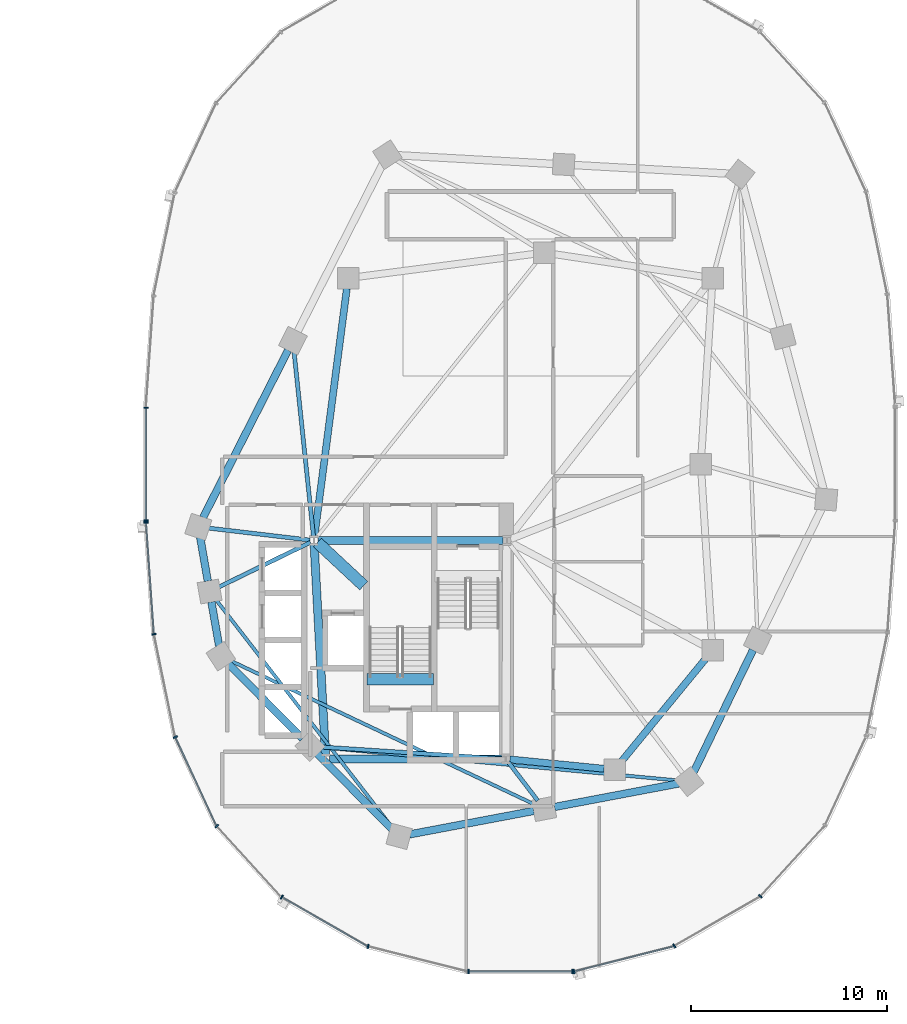
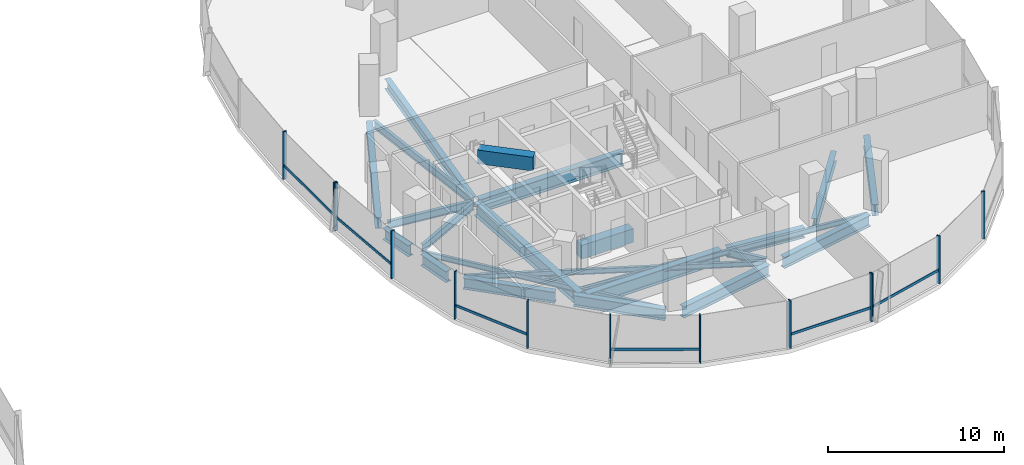
# One storey, part 5 of 21: 24 beams, 19 members, 3 elements without a shape of their own.
"""IFC4 building model written with IfcOpenShell, lengths in metres."""

import ifcopenshell
import ifcopenshell.guid

model = None  # the IFC model being written
_history = None  # IfcOwnerHistory: only IFC2X3 demands one
_inside = {}  # id of a spatial element -> (the spatial element, [elements in it])
_under = {}  # id of a project, library or spatial element -> (it, [spatial elements below it])
_declared = {}  # id of a project -> (the project, [libraries it declares])
_typed = {}  # id of a type object -> (the type object, [elements of that type])
_made_of = {}  # id of a material, layer set ... -> (it, [elements and type objects made of it])


def new_model(schema):
    """Start an empty IFC model of exactly this schema.

    Asked for "IFC4X3", IfcOpenShell would pick the latest addendum, in which some entities
    have other attributes; the version numbers below select the first issue.
    IFC2X3 requires an IfcOwnerHistory on every rooted entity: one is made here for all.
    """
    global model, _history
    if schema == "IFC4X3":
        model = ifcopenshell.file(schema_version=(4, 3, 0, 0))
    else:
        model = ifcopenshell.file(schema=schema)
    _inside.clear()
    _under.clear()
    _declared.clear()
    _typed.clear()
    _made_of.clear()
    _history = None
    if model.schema == "IFC2X3":
        org = make("IfcOrganization", Name="unknown")
        user = make(
            "IfcPersonAndOrganization",
            ThePerson=make("IfcPerson", FamilyName="unknown"),
            TheOrganization=org,
        )
        app = make(
            "IfcApplication",
            ApplicationDeveloper=org,
            Version="unknown",
            ApplicationFullName="unknown",
            ApplicationIdentifier="unknown",
        )
        _history = make(
            "IfcOwnerHistory",
            OwningUser=user,
            OwningApplication=app,
            ChangeAction="ADDED",
            CreationDate=0,
        )
    return model


def make(cls, **values):
    """One entity of the class cls with the attributes given. An attribute that is None is left unset."""
    return model.create_entity(
        cls, **{name: value for name, value in values.items() if value is not None}
    )


def rooted(cls, **values):
    """An entity with a GlobalId (a new one), such as an element, a storey or a relation."""
    return make(cls, GlobalId=ifcopenshell.guid.new(), OwnerHistory=_history, **values)


def si_unit(unit_type, name, prefix=None):
    """IfcSIUnit, for example si_unit("LENGTHUNIT", "METRE", prefix="MILLI")."""
    return make("IfcSIUnit", UnitType=unit_type, Prefix=prefix, Name=name)


def assignment(units):
    """IfcUnitAssignment: the units of a project."""
    return None if units is None else make("IfcUnitAssignment", Units=units)


def point(xyz):
    """IfcCartesianPoint."""
    return None if xyz is None else make("IfcCartesianPoint", Coordinates=xyz)


def direction(xyz):
    """IfcDirection."""
    return None if xyz is None else make("IfcDirection", DirectionRatios=xyz)


def frame(location, z_axis=None, x_axis=None):
    """IfcAxis2Placement3D, a coordinate frame: its origin and axes. An axis left out is left unset."""
    return make(
        "IfcAxis2Placement3D",
        Location=point(location),
        Axis=direction(z_axis),
        RefDirection=direction(x_axis),
    )


def frame_2d(location, x_axis=None):
    """IfcAxis2Placement2D, a coordinate frame in the plane: its origin and x axis."""
    return make(
        "IfcAxis2Placement2D", Location=point(location), RefDirection=direction(x_axis)
    )


def origin():
    """The frame at (0, 0, 0) with its axes left unset."""
    return frame((0.0, 0.0, 0.0))


def origin_2d():
    """The frame at (0, 0) in the plane with its x axis left unset."""
    return frame_2d((0.0, 0.0))


def place(relative_to, where):
    """IfcLocalPlacement: puts the frame where relative to a parent placement (None: the world)."""
    return make(
        "IfcLocalPlacement", PlacementRelTo=relative_to, RelativePlacement=where
    )


def context(
    kind, dimensions, precision=None, world=None, true_north=None, identifier=None
):
    """IfcGeometricRepresentationContext, for example the 3D "Model" context."""
    return make(
        "IfcGeometricRepresentationContext",
        ContextIdentifier=identifier,
        ContextType=kind,
        CoordinateSpaceDimension=dimensions,
        Precision=precision,
        WorldCoordinateSystem=world,
        TrueNorth=true_north,
    )


def subcontext(parent, identifier, kind, view, scale=None):
    """IfcGeometricRepresentationSubContext, for example "Body" below "Model"."""
    return make(
        "IfcGeometricRepresentationSubContext",
        ContextIdentifier=identifier,
        ContextType=kind,
        ParentContext=parent,
        TargetScale=scale,
        TargetView=view,
    )


def project(units=None, contexts=None):
    """IfcProject with its units and contexts."""
    return rooted(
        "IfcProject",
        Name="project",
        RepresentationContexts=contexts,
        UnitsInContext=assignment(units),
    )


def spatial(cls, under=None, at=None, **own):
    """A site, building, storey or space (cls), placed at a placement, below another one or the project."""
    s = rooted(cls, ObjectPlacement=at, **own)
    if under is not None:
        _under.setdefault(under.id(), (under, []))[1].append(s)
    return s


def profile(cls, at=None, kind="AREA", **sizes):
    """A parametric profile (cls). Its sizes go by their IFC names, for example OverallWidth=200.0."""
    return make(cls, ProfileType=kind, Position=at, **sizes)


def rectangle(**sizes):
    """IfcRectangleProfileDef."""
    return profile("IfcRectangleProfileDef", **sizes)


def i_section(**sizes):
    """IfcIShapeProfileDef."""
    return profile("IfcIShapeProfileDef", **sizes)


def extrude(swept, where, along, depth):
    """IfcExtrudedAreaSolid: the profile swept, set in the frame where, extruded along a direction by depth."""
    return make(
        "IfcExtrudedAreaSolid",
        SweptArea=swept,
        Position=where,
        ExtrudedDirection=direction(along),
        Depth=depth,
    )


def shape(context_of_items, identifier, shape_type, items):
    """IfcShapeRepresentation: the items that make up one representation, for example the "Body"."""
    return make(
        "IfcShapeRepresentation",
        ContextOfItems=context_of_items,
        RepresentationIdentifier=identifier,
        RepresentationType=shape_type,
        Items=items,
    )


def material(Name=None, Category=None):
    """IfcMaterial."""
    return make("IfcMaterial", Name=Name, Category=Category)


def material_profile(
    of_material, cross_section, Name=None, Category=None, Priority=None
):
    """IfcMaterialProfile: a cross section and its material."""
    return make(
        "IfcMaterialProfile",
        Name=Name,
        Material=of_material,
        Profile=cross_section,
        Priority=Priority,
        Category=Category,
    )


def profile_set(profiles, Name=None, composite=None):
    """IfcMaterialProfileSet."""
    return make(
        "IfcMaterialProfileSet",
        Name=Name,
        MaterialProfiles=profiles,
        CompositeProfile=composite,
    )


def made_of(thing, what):
    """Note that an element or type object is made of a material, layer set ...; save() writes the relation."""
    if what is not None:
        _made_of.setdefault(what.id(), (what, []))[1].append(thing)
    return thing


def type_object(cls, material=None, **own):
    """A type object (cls), such as IfcWallType, which elements share."""
    return made_of(rooted(cls, **own), material)


def element(
    cls,
    number,
    at=None,
    inside=None,
    cuts=None,
    type_object=None,
    material=None,
    context=None,
    identifier="Body",
    shape_type=None,
    held_by="IfcProductDefinitionShape",
    body=None,
    shapes=None,
    **own,
):
    """One element of the class cls, such as IfcWall. Its Tag is "e" and its number.

    at: its placement. inside: the storey or other place that contains it. cuts: it is an
    opening in that element (IfcRelVoidsElement). A single representation is given by context,
    identifier, shape_type and body (its items); several are given by shapes. held_by: the class
    of the entity that holds the representations. save() writes the other relations.
    """
    e = rooted(cls, Tag="e%d" % number, ObjectPlacement=at, **own)
    if body is not None:
        shapes = [shape(context, identifier, shape_type, body)]
    if shapes is not None:
        e.Representation = make(held_by, Representations=shapes)
    if inside is not None:
        _inside.setdefault(inside.id(), (inside, []))[1].append(e)
    if cuts is not None:
        rooted(
            "IfcRelVoidsElement", RelatingBuildingElement=cuts, RelatedOpeningElement=e
        )
    if type_object is not None:
        _typed.setdefault(type_object.id(), (type_object, []))[1].append(e)
    return made_of(e, material)


def aggregate(whole, parts):
    """IfcRelAggregates: a whole, such as a stair, and the parts it consists of."""
    return rooted("IfcRelAggregates", RelatingObject=whole, RelatedObjects=parts)


def save(model, path):
    """Write the relations noted so far, then the file.

    IfcRelAggregates (storeys below a building ...), IfcRelContainedInSpatialStructure (elements
    in a storey), IfcRelDefinesByType, IfcRelAssociatesMaterial and IfcRelDeclares: one each for
    every whole, place, type object, material and project.
    """
    for whole, parts in _under.values():
        aggregate(whole, parts)
    for where, things in _inside.values():
        rooted(
            "IfcRelContainedInSpatialStructure",
            RelatedElements=things,
            RelatingStructure=where,
        )
    for kind, things in _typed.values():
        rooted("IfcRelDefinesByType", RelatedObjects=things, RelatingType=kind)
    for what, things in _made_of.values():
        rooted("IfcRelAssociatesMaterial", RelatedObjects=things, RelatingMaterial=what)
    for by, libraries in _declared.values():
        rooted("IfcRelDeclares", RelatingContext=by, RelatedDefinitions=libraries)
    model.write(path)


model = new_model("IFC4")

# Units and contexts
model_context = context("Model", 3, precision=1e-05, world=origin(), true_north=direction((0.0, 1.0)))
body_context = subcontext(model_context, "Body", "Model", "MODEL_VIEW")
ifc_project = project(units=[si_unit("LENGTHUNIT", "METRE"), si_unit("AREAUNIT", "SQUARE_METRE"), si_unit("VOLUMEUNIT", "CUBIC_METRE"), si_unit("PLANEANGLEUNIT", "RADIAN"), si_unit("MASSUNIT", "GRAM", prefix="KILO"), si_unit("THERMODYNAMICTEMPERATUREUNIT", "KELVIN"), si_unit("POWERUNIT", "WATT")], contexts=[model_context])

# Site, building, storey
site_placement = place(None, origin())
site = spatial("IfcSite", under=ifc_project, at=site_placement, CompositionType="ELEMENT")
building_placement = place(site_placement, origin())
building = spatial("IfcBuilding", under=site, at=building_placement, Name="Cundina Bronze Exchange", CompositionType="ELEMENT")
storey_placement = place(building_placement, frame((0.0, 0.0, 81.800048828125)))
storey = spatial("IfcBuildingStorey", under=building, at=storey_placement, Name="L20", CompositionType="ELEMENT", Elevation=81.800048828125)

# Beams
ifc_material_1 = material(Name="Concrete C60/75", Category="concrete")
ifc_material_profile_1 = material_profile(ifc_material_1, rectangle(XDim=0.60009765625, YDim=0.949951171875, at=origin_2d()), Name="RC600X950", Category="concrete")
ifc_profile_set_1 = profile_set([ifc_material_profile_1], Name="Concrete C60/75")
beam_type_1 = type_object("IfcBeamType", Name="BM-COUP-RC950", PredefinedType="LINTEL", material=ifc_profile_set_1)
beam_1_placement = place(storey_placement, frame((24.159912109375, -10.97998046875, -0.47509765625), z_axis=(1.0, 0.0, 0.0), x_axis=(0.0, 1.0, 0.0)))
element("IfcBeam", 1, at=beam_1_placement, inside=storey, type_object=beam_type_1, Name="L20 Stair E2 Landing Header Beam", PredefinedType="LINTEL", context=body_context, shape_type="SweptSolid", body=[
    extrude(rectangle(XDim=0.60009765625, YDim=0.949951171875, at=origin_2d()), origin(), (0.0, 0.0, 1.0), 3.400146484375),
])
beam_2_placement = place(storey_placement, frame((21.6298828125, -4.0, 2.824951171875), z_axis=(0.731490439815, -0.681851696822, 0.0), x_axis=(0.681851696822, 0.731490439815, 0.0)))
element("IfcBeam", 2, at=beam_2_placement, inside=storey, type_object=beam_type_1, Name="L20 E Core Shear Coupling Lintel Beam", PredefinedType="LINTEL", context=body_context, shape_type="SweptSolid", body=[
    extrude(rectangle(XDim=0.60009765625, YDim=0.949951171875, at=origin_2d()), origin(), (0.0, 0.0, 1.0), 3.226318359375),
])
ifc_material_2 = material(Name="Steel ASTM A992 Grade 50", Category="steel")
ifc_material_profile_2 = material_profile(ifc_material_2, i_section(OverallWidth=0.2099609375, OverallDepth=0.532958984375, WebThickness=0.01025390625, FlangeThickness=0.015625, FilletRadius=0.013916015625, at=origin_2d()), Name="W21X62", Category="steel")
ifc_profile_set_2 = profile_set([ifc_material_profile_2], Name="Steel ASTM A992 Grade 50")
beam_type_2 = type_object("IfcBeamType", Name="BM-FLR-W21B", PredefinedType="BEAM", material=ifc_profile_set_2)
beam_3_placement = place(storey_placement, frame((21.247314453125, -3.8759765625, -0.566650390625), z_axis=(-0.993035701683, 0.117813815752, 0.0), x_axis=(-0.117813815752, -0.993035701683, 0.0)))
element("IfcBeam", 3, at=beam_3_placement, inside=storey, type_object=beam_type_2, Name="L20 Leg E Chordal Floor Beam 00", PredefinedType="BEAM", context=body_context, shape_type="SweptSolid", body=[
    extrude(i_section(OverallWidth=0.2099609375, OverallDepth=0.532958984375, WebThickness=0.01025390625, FlangeThickness=0.015625, FilletRadius=0.013916015625, at=origin_2d()), origin(), (0.0, 0.0, 1.0), 5.19921875),
])
beam_4_placement = place(storey_placement, frame((21.2666015625, -3.989501953125, -0.566650390625), z_axis=(-0.898607246385, -0.438753936443, 0.0), x_axis=(0.438753936443, -0.898607246385, 0.0)))
element("IfcBeam", 4, at=beam_4_placement, inside=storey, type_object=beam_type_2, Name="L20 Leg E Chordal Floor Beam 01", PredefinedType="BEAM", context=body_context, shape_type="SweptSolid", body=[
    extrude(i_section(OverallWidth=0.2099609375, OverallDepth=0.532958984375, WebThickness=0.01025390625, FlangeThickness=0.015625, FilletRadius=0.013916015625, at=origin_2d()), origin(), (0.0, 0.0, 1.0), 5.183837890625),
])
beam_5_placement = place(storey_placement, frame((31.04638671875, -15.036865234375, -0.566650390625), z_axis=(-0.997892901568, 0.064882640211, 0.0), x_axis=(-0.064882640211, -0.997892901568, 0.0)))
element("IfcBeam", 5, at=beam_5_placement, inside=storey, type_object=beam_type_2, Name="L20 Leg E Chordal Floor Beam 03", PredefinedType="BEAM", context=body_context, shape_type="SweptSolid", body=[
    extrude(i_section(OverallWidth=0.2099609375, OverallDepth=0.532958984375, WebThickness=0.01025390625, FlangeThickness=0.015625, FilletRadius=0.013916015625, at=origin_2d()), origin(), (0.0, 0.0, 1.0), 9.279052734375),
])
beam_6_placement = place(storey_placement, frame((31.373779296875, -15.2119140625, -0.566650390625), z_axis=(0.607490490457, -0.79432695032, 0.0), x_axis=(0.79432695032, 0.607490490457, 0.0)))
element("IfcBeam", 6, at=beam_6_placement, inside=storey, type_object=beam_type_2, Name="L20 Leg E Chordal Floor Beam 05", PredefinedType="BEAM", context=body_context, shape_type="SweptSolid", body=[
    extrude(i_section(OverallWidth=0.2099609375, OverallDepth=0.532958984375, WebThickness=0.01025390625, FlangeThickness=0.015625, FilletRadius=0.013916015625, at=origin_2d()), origin(), (0.0, 0.0, 1.0), 2.46826171875),
])
beam_7_placement = place(storey_placement, frame((21.4287109375, -3.697021484375, -0.566650390625), z_axis=(-0.104822364957, 0.994490961148, 0.0), x_axis=(-0.994490961148, -0.104822364957, 0.0)))
element("IfcBeam", 7, at=beam_7_placement, inside=storey, type_object=beam_type_2, Name="L20 Leg E Chordal Floor Beam 13", PredefinedType="BEAM", context=body_context, shape_type="SweptSolid", body=[
    extrude(i_section(OverallWidth=0.2099609375, OverallDepth=0.532958984375, WebThickness=0.01025390625, FlangeThickness=0.015625, FilletRadius=0.013916015625, at=origin_2d()), origin(), (0.0, 0.0, 1.0), 9.514404296875),
])
ifc_material_profile_3 = material_profile(ifc_material_2, i_section(OverallWidth=0.172119140625, OverallDepth=0.35791015625, WebThickness=0.0078125, FlangeThickness=0.01318359375, FilletRadius=0.010009765625, at=origin_2d()), Name="W14X38", Category="steel")
ifc_profile_set_3 = profile_set([ifc_material_profile_3], Name="Steel ASTM A992 Grade 50")
beam_type_3 = type_object("IfcBeamType", Name="BM-JST-W14", PredefinedType="JOIST", material=ifc_profile_set_3)
beam_8_placement = place(storey_placement, frame((16.454345703125, -6.92529296875, -0.47900390625), z_axis=(0.612065218806, -0.790807288742, 0.0), x_axis=(0.790807288742, 0.612065218806, 0.0)))
element("IfcBeam", 8, at=beam_8_placement, inside=storey, type_object=beam_type_3, Name="L20 Leg E Lobe Floor Joist 01-04", PredefinedType="JOIST", context=body_context, shape_type="SweptSolid", body=[
    extrude(i_section(OverallWidth=0.172119140625, OverallDepth=0.35791015625, WebThickness=0.0078125, FlangeThickness=0.01318359375, FilletRadius=0.010009765625, at=origin_2d()), origin(), (0.0, 0.0, 1.0), 14.73095703125),
])
beam_9_placement = place(storey_placement, frame((17.186279296875, -10.02978515625, -0.47900390625), z_axis=(0.904069270633, -0.427385954259, 0.0), x_axis=(0.427385954259, 0.904069270633, 0.0)))
element("IfcBeam", 9, at=beam_9_placement, inside=storey, type_object=beam_type_3, Name="L20 Leg E Lobe Floor Joist 02-05", PredefinedType="JOIST", context=body_context, shape_type="SweptSolid", body=[
    extrude(i_section(OverallWidth=0.172119140625, OverallDepth=0.35791015625, WebThickness=0.0078125, FlangeThickness=0.01318359375, FilletRadius=0.010009765625, at=origin_2d()), origin(), (0.0, 0.0, 1.0), 17.175048828125),
])
beam_10_placement = place(storey_placement, frame((21.78564453125, -14.44970703125, -0.47900390625), z_axis=(0.995700674022, -0.092629194921, 0.0), x_axis=(0.092629194921, 0.995700674022, 0.0)))
element("IfcBeam", 10, at=beam_10_placement, inside=storey, type_object=beam_type_3, Name="L20 Leg E Lobe Floor Joist 03-06", PredefinedType="JOIST", context=body_context, shape_type="SweptSolid", body=[
    extrude(i_section(OverallWidth=0.172119140625, OverallDepth=0.35791015625, WebThickness=0.0078125, FlangeThickness=0.01318359375, FilletRadius=0.010009765625, at=origin_2d()), origin(), (0.0, 0.0, 1.0), 18.357421875),
])
ifc_material_profile_4 = material_profile(ifc_material_2, i_section(OverallWidth=0.35498046875, OverallDepth=0.695068359375, WebThickness=0.015380859375, FlangeThickness=0.02490234375, FilletRadius=0.01806640625, at=origin_2d()), Name="W27X146", Category="steel")
ifc_profile_set_4 = profile_set([ifc_material_profile_4], Name="Steel ASTM A992 Grade 50")
beam_type_4 = type_object("IfcBeamType", Name="BM-RING-W27", PredefinedType="USERDEFINED", material=ifc_profile_set_4)
beam_11_placement = place(storey_placement, frame((31.452880859375, -15.070068359375, -0.6474609375), z_axis=(0.995126271817, -0.098608839051, 0.0), x_axis=(0.098608839051, 0.995126271817, 0.0)))
element("IfcBeam", 11, at=beam_11_placement, inside=storey, type_object=beam_type_4, Name="L20 E Inner Structural Ring Girder 01", ObjectType="GIRDER", PredefinedType="USERDEFINED", context=body_context, shape_type="SweptSolid", body=[
    extrude(i_section(OverallWidth=0.35498046875, OverallDepth=0.695068359375, WebThickness=0.015380859375, FlangeThickness=0.02490234375, FilletRadius=0.01806640625, at=origin_2d()), origin(), (0.0, 0.0, 1.0), 4.83544921875),
])
beam_12_placement = place(storey_placement, frame((37.14111328125, -15.183837890625, -0.6474609375), z_axis=(0.633926549035, 0.773393257295, 0.0), x_axis=(-0.773393257295, 0.633926549035, 0.0)))
element("IfcBeam", 12, at=beam_12_placement, inside=storey, type_object=beam_type_4, Name="L20 E Inner Structural Ring Girder 02", ObjectType="GIRDER", PredefinedType="USERDEFINED", context=body_context, shape_type="SweptSolid", body=[
    extrude(i_section(OverallWidth=0.35498046875, OverallDepth=0.695068359375, WebThickness=0.015380859375, FlangeThickness=0.02490234375, FilletRadius=0.01806640625, at=origin_2d()), origin(), (0.0, 0.0, 1.0), 6.811279296875),
])
beam_13_placement = place(storey_placement, frame((23.13037109375, 8.966552734375, -0.6474609375), z_axis=(-0.129507526533, -0.99157843894, 0.0), x_axis=(0.99157843894, -0.129507526533, 0.0)))
element("IfcBeam", 13, at=beam_13_placement, inside=storey, type_object=beam_type_4, Name="L20 E Inner Structural Ring Girder 07", ObjectType="GIRDER", PredefinedType="USERDEFINED", context=body_context, shape_type="SweptSolid", body=[
    extrude(i_section(OverallWidth=0.35498046875, OverallDepth=0.695068359375, WebThickness=0.015380859375, FlangeThickness=0.02490234375, FilletRadius=0.01806640625, at=origin_2d()), origin(), (0.0, 0.0, 1.0), 12.77197265625),
])
ifc_material_profile_5 = material_profile(ifc_material_2, i_section(OverallWidth=0.381103515625, OverallDepth=0.77294921875, WebThickness=0.0166015625, FlangeThickness=0.027099609375, FilletRadius=0.01904296875, at=origin_2d()), Name="W30X173", Category="steel")
ifc_profile_set_5 = profile_set([ifc_material_profile_5], Name="Steel ASTM A992 Grade 50")
beam_type_5 = type_object("IfcBeamType", Name="BM-RING-W30", PredefinedType="USERDEFINED", material=ifc_profile_set_5)
for number, where, z_axis, x_axis, name in (
    (14, (15.642333984375, -3.72998046875, -0.6865234375), (0.171690078326, -0.985151012284, 0.0), (0.985151012284, 0.171690078326, 0.0), "L20 E Perimeter Ring Girder 00"),
    (15, (16.21728515625, -7.030029296875, -0.6865234375), (0.171690078326, -0.985151012284, 0.0), (0.985151012284, 0.171690078326, 0.0), "L20 E Perimeter Ring Girder 01"),
):
    element("IfcBeam", number, at=place(storey_placement, frame(where, z_axis=z_axis, x_axis=x_axis)), inside=storey, type_object=beam_type_5, Name=name, ObjectType="GIRDER", PredefinedType="USERDEFINED", context=body_context, shape_type="SweptSolid", body=[
        extrude(i_section(OverallWidth=0.381103515625, OverallDepth=0.77294921875, WebThickness=0.0166015625, FlangeThickness=0.027099609375, FilletRadius=0.01904296875, at=origin_2d()), origin(), (0.0, 0.0, 1.0), 2.273681640625),
    ])
for number, where, z_axis, x_axis, name in (
    (16, (17.078369140625, -10.1826171875, -0.6865234375), (0.703226342126, -0.7109660412, 0.0), (0.7109660412, 0.703226342126, 0.0), "L20 E Perimeter Ring Girder 02"),
    (17, (21.62841796875, -14.782470703125, -0.6865234375), (0.703226342126, -0.7109660412, 0.0), (0.7109660412, 0.703226342126, 0.0), "L20 E Perimeter Ring Girder 03"),
):
    element("IfcBeam", number, at=place(storey_placement, frame(where, z_axis=z_axis, x_axis=x_axis)), inside=storey, type_object=beam_type_5, Name=name, ObjectType="GIRDER", PredefinedType="USERDEFINED", context=body_context, shape_type="SweptSolid", body=[
        extrude(i_section(OverallWidth=0.381103515625, OverallDepth=0.77294921875, WebThickness=0.0166015625, FlangeThickness=0.027099609375, FilletRadius=0.01904296875, at=origin_2d()), origin(), (0.0, 0.0, 1.0), 5.39404296875),
    ])
for number, where, z_axis, x_axis, name in (
    (18, (26.32861328125, -18.89990234375, -0.6865234375), (0.98257117919, 0.185886733861, 0.0), (-0.185886733861, 0.98257117919, 0.0), "L20 E Perimeter Ring Girder 04"),
    (19, (33.728515625, -17.5, -0.6865234375), (0.98257117919, 0.185886733861, 0.0), (-0.185886733861, 0.98257117919, 0.0), "L20 E Perimeter Ring Girder 05"),
):
    element("IfcBeam", number, at=place(storey_placement, frame(where, z_axis=z_axis, x_axis=x_axis)), inside=storey, type_object=beam_type_5, Name=name, ObjectType="GIRDER", PredefinedType="USERDEFINED", context=body_context, shape_type="SweptSolid", body=[
        extrude(i_section(OverallWidth=0.381103515625, OverallDepth=0.77294921875, WebThickness=0.0166015625, FlangeThickness=0.027099609375, FilletRadius=0.01904296875, at=origin_2d()), origin(), (0.0, 0.0, 1.0), 6.455322265625),
    ])
beam_14_placement = place(storey_placement, frame((40.835205078125, -15.716064453125, -0.6865234375), z_axis=(0.437193894283, 0.899367276924, 0.0), x_axis=(-0.899367276924, 0.437193894283, 0.0)))
element("IfcBeam", 20, at=beam_14_placement, inside=storey, type_object=beam_type_5, Name="L20 E Perimeter Ring Girder 06", ObjectType="GIRDER", PredefinedType="USERDEFINED", context=body_context, shape_type="SweptSolid", body=[
    extrude(i_section(OverallWidth=0.381103515625, OverallDepth=0.77294921875, WebThickness=0.0166015625, FlangeThickness=0.027099609375, FilletRadius=0.01904296875, at=origin_2d()), origin(), (0.0, 0.0, 1.0), 6.929443359375),
])
beam_15_placement = place(storey_placement, frame((20.13134765625, 5.8203125, -0.6865234375), z_axis=(-0.452832332744, -0.891595692241, 0.0), x_axis=(0.891595692241, -0.452832332744, 0.0)))
element("IfcBeam", 21, at=beam_15_placement, inside=storey, type_object=beam_type_5, Name="L20 E Perimeter Ring Girder 13", ObjectType="GIRDER", PredefinedType="USERDEFINED", context=body_context, shape_type="SweptSolid", body=[
    extrude(i_section(OverallWidth=0.381103515625, OverallDepth=0.77294921875, WebThickness=0.0166015625, FlangeThickness=0.027099609375, FilletRadius=0.01904296875, at=origin_2d()), origin(), (0.0, 0.0, 1.0), 9.578857421875),
])
ifc_material_profile_6 = material_profile(ifc_material_2, i_section(OverallWidth=0.41796875, OverallDepth=0.927001953125, WebThickness=0.019287109375, FlangeThickness=0.031982421875, FilletRadius=0.02392578125, at=origin_2d()), Name="W36X231", Category="steel")
ifc_profile_set_6 = profile_set([ifc_material_profile_6], Name="Steel ASTM A992 Grade 50")
beam_type_6 = type_object("IfcBeamType", Name="BM-WRN-W36B", PredefinedType="USERDEFINED", material=ifc_profile_set_6)
beam_16_placement = place(storey_placement, frame((31.095947265625, -3.89990234375, -0.763427734375), z_axis=(-1.0, 0.0, 0.0), x_axis=(0.0, -1.0, 0.0)))
element("IfcBeam", 22, at=beam_16_placement, inside=storey, type_object=beam_type_6, Name="L20 E Core Perimeter Tie Girder 1", ObjectType="GIRDER", PredefinedType="USERDEFINED", context=body_context, shape_type="SweptSolid", body=[
    extrude(i_section(OverallWidth=0.41796875, OverallDepth=0.927001953125, WebThickness=0.019287109375, FlangeThickness=0.031982421875, FilletRadius=0.02392578125, at=origin_2d()), origin(), (0.0, 0.0, 1.0), 9.44189453125),
])
beam_17_placement = place(storey_placement, frame((21.4609375, -4.103759765625, -0.763427734375), z_axis=(0.053739193498, -0.998555005537, 0.0), x_axis=(0.998555005537, 0.053739193498, 0.0)))
element("IfcBeam", 23, at=beam_17_placement, inside=storey, type_object=beam_type_6, Name="L20 E Core Perimeter Tie Girder 2", ObjectType="GIRDER", PredefinedType="USERDEFINED", context=body_context, shape_type="SweptSolid", body=[
    extrude(i_section(OverallWidth=0.41796875, OverallDepth=0.927001953125, WebThickness=0.019287109375, FlangeThickness=0.031982421875, FilletRadius=0.02392578125, at=origin_2d()), origin(), (0.0, 0.0, 1.0), 10.758056640625),
])
beam_18_placement = place(storey_placement, frame((22.25390625, -15.050048828125, -0.763427734375), z_axis=(1.0, 0.0, 0.0), x_axis=(0.0, 1.0, 0.0)))
element("IfcBeam", 24, at=beam_18_placement, inside=storey, type_object=beam_type_6, Name="L20 E Core Perimeter Tie Girder 3", ObjectType="GIRDER", PredefinedType="USERDEFINED", context=body_context, shape_type="SweptSolid", body=[
    extrude(i_section(OverallWidth=0.41796875, OverallDepth=0.927001953125, WebThickness=0.019287109375, FlangeThickness=0.031982421875, FilletRadius=0.02392578125, at=origin_2d()), origin(), (0.0, 0.0, 1.0), 8.7919921875),
])

# Curtain wall, members
ifc_material_3 = material(Name="Anodised Bronze Aluminium 6063-T6", Category="aluminium")
curtain_wall_type = type_object("IfcCurtainWallType", Name="CWS-TRD-MID", PredefinedType="NOTDEFINED", material=ifc_material_3)
curtain_wall_1_placement = place(storey_placement, origin())
curtain_wall_1 = element("IfcCurtainWall", 25, at=curtain_wall_1_placement, inside=storey, type_object=curtain_wall_type, Name="L20 CW-03 Curtain Wall Run CWR-L20-E2", PredefinedType="NOTDEFINED")
ifc_material_profile_7 = material_profile(ifc_material_3, rectangle(XDim=0.074951171875, YDim=0.219970703125, at=origin_2d()), Name="AL75X220", Category="aluminium")
ifc_profile_set_7 = profile_set([ifc_material_profile_7], Name="Anodised Bronze Aluminium 6063-T6")
member_type_1 = type_object("IfcMemberType", Name="CWM-MUL-220", PredefinedType="MULLION", material=ifc_profile_set_7)
member_1_placement = place(storey_placement, frame((12.8720703125, 2.880615234375, 0.0), z_axis=(0.0, 0.0, 1.0), x_axis=(0.0, -1.0, 0.0)))
member_1 = element("IfcMember", 26, at=member_1_placement, type_object=member_type_1, Name="CW-03 Mullion 7", PredefinedType="MULLION", context=body_context, shape_type="SweptSolid", body=[
    extrude(rectangle(XDim=0.074951171875, YDim=0.219970703125, at=origin_2d()), origin(), (0.0, 0.0, 1.0), 3.300048828125),
])
member_2_placement = place(storey_placement, frame((12.8720703125, -2.880615234375, 0.0), z_axis=(0.0, 0.0, 1.0), x_axis=(0.0, -1.0, 0.0)))
member_2 = element("IfcMember", 27, at=member_2_placement, type_object=member_type_1, Name="CW-03 End Mullion", PredefinedType="MULLION", context=body_context, shape_type="SweptSolid", body=[
    extrude(rectangle(XDim=0.074951171875, YDim=0.219970703125, at=origin_2d()), origin(), (0.0, 0.0, 1.0), 3.300048828125),
])

curtain_wall_2_placement = place(storey_placement, origin())
curtain_wall_2 = element("IfcCurtainWall", 28, at=curtain_wall_2_placement, inside=storey, type_object=curtain_wall_type, Name="L20 CW-03 Curtain Wall Run CWR-L20-E3", PredefinedType="NOTDEFINED")
member_3_placement = place(storey_placement, frame((12.87548828125, -2.976318359375, 0.0), z_axis=(0.0, 0.0, 1.0), x_axis=(0.070278787473, -0.997527389113, 0.0)))
member_3 = element("IfcMember", 29, at=member_3_placement, type_object=member_type_1, Name="CW-03 Mullion 1", PredefinedType="MULLION", context=body_context, shape_type="SweptSolid", body=[
    extrude(rectangle(XDim=0.074951171875, YDim=0.219970703125, at=origin_2d()), origin(), (0.0, 0.0, 1.0), 3.300048828125),
])
member_4_placement = place(storey_placement, frame((13.282958984375, -8.67822265625, 0.0), z_axis=(0.0, 0.0, 1.0), x_axis=(0.201419845156, -0.979505000486, 0.0)))
member_4 = element("IfcMember", 30, at=member_4_placement, type_object=member_type_1, Name="CW-03 Mullion 2", PredefinedType="MULLION", context=body_context, shape_type="SweptSolid", body=[
    extrude(rectangle(XDim=0.074951171875, YDim=0.219970703125, at=origin_2d()), origin(), (0.0, 0.0, 1.0), 3.300048828125),
])
member_5_placement = place(storey_placement, frame((14.3720703125, -13.931884765625, 0.0), z_axis=(0.0, 0.0, 1.0), x_axis=(0.42087749791, -0.907117485088, 0.0)))
member_5 = element("IfcMember", 31, at=member_5_placement, type_object=member_type_1, Name="CW-03 Mullion 3", PredefinedType="MULLION", context=body_context, shape_type="SweptSolid", body=[
    extrude(rectangle(XDim=0.074951171875, YDim=0.219970703125, at=origin_2d()), origin(), (0.0, 0.0, 1.0), 3.300048828125),
])
member_6_placement = place(storey_placement, frame((16.491455078125, -18.47705078125, 0.0), z_axis=(0.0, 0.0, 1.0), x_axis=(0.674302387584, -0.738455340626, 0.0)))
member_6 = element("IfcMember", 32, at=member_6_placement, type_object=member_type_1, Name="CW-03 Mullion 4", PredefinedType="MULLION", context=body_context, shape_type="SweptSolid", body=[
    extrude(rectangle(XDim=0.074951171875, YDim=0.219970703125, at=origin_2d()), origin(), (0.0, 0.0, 1.0), 3.300048828125),
])
member_7_placement = place(storey_placement, frame((19.810302734375, -22.097412109375, 0.0), z_axis=(0.0, 0.0, 1.0), x_axis=(0.867070701164, -0.498185105339, 0.0)))
member_7 = element("IfcMember", 33, at=member_7_placement, type_object=member_type_1, Name="CW-03 Mullion 5", PredefinedType="MULLION", context=body_context, shape_type="SweptSolid", body=[
    extrude(rectangle(XDim=0.074951171875, YDim=0.219970703125, at=origin_2d()), origin(), (0.0, 0.0, 1.0), 3.300048828125),
])
member_8_placement = place(storey_placement, frame((24.21484375, -24.61669921875, 0.0), z_axis=(0.0, 0.0, 1.0), x_axis=(0.969488149345, -0.245138182011, 0.0)))
member_8 = element("IfcMember", 34, at=member_8_placement, type_object=member_type_1, Name="CW-03 Mullion 6", PredefinedType="MULLION", context=body_context, shape_type="SweptSolid", body=[
    extrude(rectangle(XDim=0.074951171875, YDim=0.219970703125, at=origin_2d()), origin(), (0.0, 0.0, 1.0), 3.300048828125),
])
member_9_placement = place(storey_placement, frame((29.345458984375, -25.905029296875, 0.0), z_axis=(0.0, 0.0, 1.0), x_axis=(1.0, 0.0, 0.0)))
member_9 = element("IfcMember", 35, at=member_9_placement, type_object=member_type_1, Name="CW-03 Mullion 7", PredefinedType="MULLION", context=body_context, shape_type="SweptSolid", body=[
    extrude(rectangle(XDim=0.074951171875, YDim=0.219970703125, at=origin_2d()), origin(), (0.0, 0.0, 1.0), 3.300048828125),
])
member_10_placement = place(storey_placement, frame((34.654541015625, -25.905029296875, 0.0), z_axis=(0.0, 0.0, 1.0), x_axis=(1.0, 0.0, 0.0)))
member_10 = element("IfcMember", 36, at=member_10_placement, type_object=member_type_1, Name="CW-03 End Mullion", PredefinedType="MULLION", context=body_context, shape_type="SweptSolid", body=[
    extrude(rectangle(XDim=0.074951171875, YDim=0.219970703125, at=origin_2d()), origin(), (0.0, 0.0, 1.0), 3.300048828125),
])

curtain_wall_3_placement = place(storey_placement, origin())
curtain_wall_3 = element("IfcCurtainWall", 37, at=curtain_wall_3_placement, inside=storey, type_object=curtain_wall_type, Name="L20 CW-03 Curtain Wall Run CWR-L20-E4", PredefinedType="NOTDEFINED")
member_11_placement = place(storey_placement, frame((34.72607421875, -25.89599609375, 0.0), z_axis=(0.0, 0.0, 1.0), x_axis=(0.969488149345, 0.245138182011, 0.0)))
member_11 = element("IfcMember", 38, at=member_11_placement, type_object=member_type_1, Name="CW-03 Mullion 1", PredefinedType="MULLION", context=body_context, shape_type="SweptSolid", body=[
    extrude(rectangle(XDim=0.074951171875, YDim=0.219970703125, at=origin_2d()), origin(), (0.0, 0.0, 1.0), 3.300048828125),
])
member_12_placement = place(storey_placement, frame((39.848876953125, -24.591064453125, 0.0), z_axis=(0.0, 0.0, 1.0), x_axis=(0.867070701164, 0.498185105339, 0.0)))
member_12 = element("IfcMember", 39, at=member_12_placement, type_object=member_type_1, Name="CW-03 Mullion 2", PredefinedType="MULLION", context=body_context, shape_type="SweptSolid", body=[
    extrude(rectangle(XDim=0.074951171875, YDim=0.219970703125, at=origin_2d()), origin(), (0.0, 0.0, 1.0), 3.300048828125),
])
member_13_placement = place(storey_placement, frame((44.239501953125, -22.0576171875, 0.0), z_axis=(0.0, 0.0, 1.0), x_axis=(0.674302387584, 0.738455340626, 0.0)))
member_13 = element("IfcMember", 40, at=member_13_placement, type_object=member_type_1, Name="CW-03 Mullion 3", PredefinedType="MULLION", context=body_context, shape_type="SweptSolid", body=[
    extrude(rectangle(XDim=0.074951171875, YDim=0.219970703125, at=origin_2d()), origin(), (0.0, 0.0, 1.0), 3.300048828125),
])

# Member
ifc_material_profile_8 = material_profile(ifc_material_3, rectangle(XDim=0.070068359375, YDim=0.179931640625, at=origin_2d()), Name="AL70X180", Category="aluminium")
ifc_profile_set_8 = profile_set([ifc_material_profile_8], Name="Anodised Bronze Aluminium 6063-T6")
member_type_2 = type_object("IfcMemberType", Name="CWM-TRN-180", PredefinedType="USERDEFINED", material=ifc_profile_set_8)
member_14_placement = place(storey_placement, frame((12.8720703125, 2.839111328125, 0.919921875), z_axis=(0.0, -1.0, 0.0), x_axis=(1.0, 0.0, 0.0)))
member_14 = element("IfcMember", 41, at=member_14_placement, type_object=member_type_2, Name="CW-03 Spandrel Transom 7", ObjectType="TRANSOM", PredefinedType="USERDEFINED", context=body_context, shape_type="SweptSolid", body=[
    extrude(rectangle(XDim=0.070068359375, YDim=0.179931640625, at=origin_2d()), origin(), (0.0, 0.0, 1.0), 5.67822265625),
])

aggregate(curtain_wall_1, [member_1, member_2, member_14])

member_15_placement = place(storey_placement, frame((12.87841796875, -3.017333984375, 0.919921875), z_axis=(0.070260714471, -0.997528662246, 0.0), x_axis=(0.997528662246, 0.070260714471, 0.0)))
member_15 = element("IfcMember", 42, at=member_15_placement, type_object=member_type_2, Name="CW-03 Spandrel Transom 1", ObjectType="TRANSOM", PredefinedType="USERDEFINED", context=body_context, shape_type="SweptSolid", body=[
    extrude(rectangle(XDim=0.070068359375, YDim=0.179931640625, at=origin_2d()), origin(), (0.0, 0.0, 1.0), 5.629150390625),
])

member_16_placement = place(storey_placement, frame((14.389404296875, -13.96923828125, 0.919921875), z_axis=(0.420811422796, -0.907148139195, 0.0), x_axis=(0.907148139195, 0.420811422796, 0.0)))
member_16 = element("IfcMember", 43, at=member_16_placement, type_object=member_type_2, Name="CW-03 Spandrel Transom 3", ObjectType="TRANSOM", PredefinedType="USERDEFINED", context=body_context, shape_type="SweptSolid", body=[
    extrude(rectangle(XDim=0.070068359375, YDim=0.179931640625, at=origin_2d()), origin(), (0.0, 0.0, 1.0), 4.95166015625),
])

member_17_placement = place(storey_placement, frame((19.845947265625, -22.117919921875, 0.919921875), z_axis=(0.867097475651, -0.498138502546, 0.0), x_axis=(0.498138502546, 0.867097475651, 0.0)))
member_17 = element("IfcMember", 44, at=member_17_placement, type_object=member_type_2, Name="CW-03 Spandrel Transom 5", ObjectType="TRANSOM", PredefinedType="USERDEFINED", context=body_context, shape_type="SweptSolid", body=[
    extrude(rectangle(XDim=0.070068359375, YDim=0.179931640625, at=origin_2d()), origin(), (0.0, 0.0, 1.0), 5.00634765625),
])

member_18_placement = place(storey_placement, frame((29.38671875, -25.905029296875, 0.919921875), z_axis=(1.0, 0.0, 0.0), x_axis=(0.0, 1.0, 0.0)))
member_18 = element("IfcMember", 45, at=member_18_placement, type_object=member_type_2, Name="CW-03 Spandrel Transom 7", ObjectType="TRANSOM", PredefinedType="USERDEFINED", context=body_context, shape_type="SweptSolid", body=[
    extrude(rectangle(XDim=0.070068359375, YDim=0.179931640625, at=origin_2d()), origin(), (0.0, 0.0, 1.0), 5.2265625),
])

aggregate(curtain_wall_2, [member_3, member_15, member_4, member_5, member_16, member_6, member_7, member_17, member_8, member_9, member_10, member_18])

member_19_placement = place(storey_placement, frame((34.76611328125, -25.885986328125, 0.919921875), z_axis=(0.969483968866, 0.245154714644, 0.0), x_axis=(-0.245154714644, 0.969483968866, 0.0)))
member_19 = element("IfcMember", 46, at=member_19_placement, type_object=member_type_2, Name="CW-03 Spandrel Transom 1", ObjectType="TRANSOM", PredefinedType="USERDEFINED", context=body_context, shape_type="SweptSolid", body=[
    extrude(rectangle(XDim=0.070068359375, YDim=0.179931640625, at=origin_2d()), origin(), (0.0, 0.0, 1.0), 5.21826171875),
])

aggregate(curtain_wall_3, [member_11, member_19, member_12, member_13])

save(model, "model.ifc")
